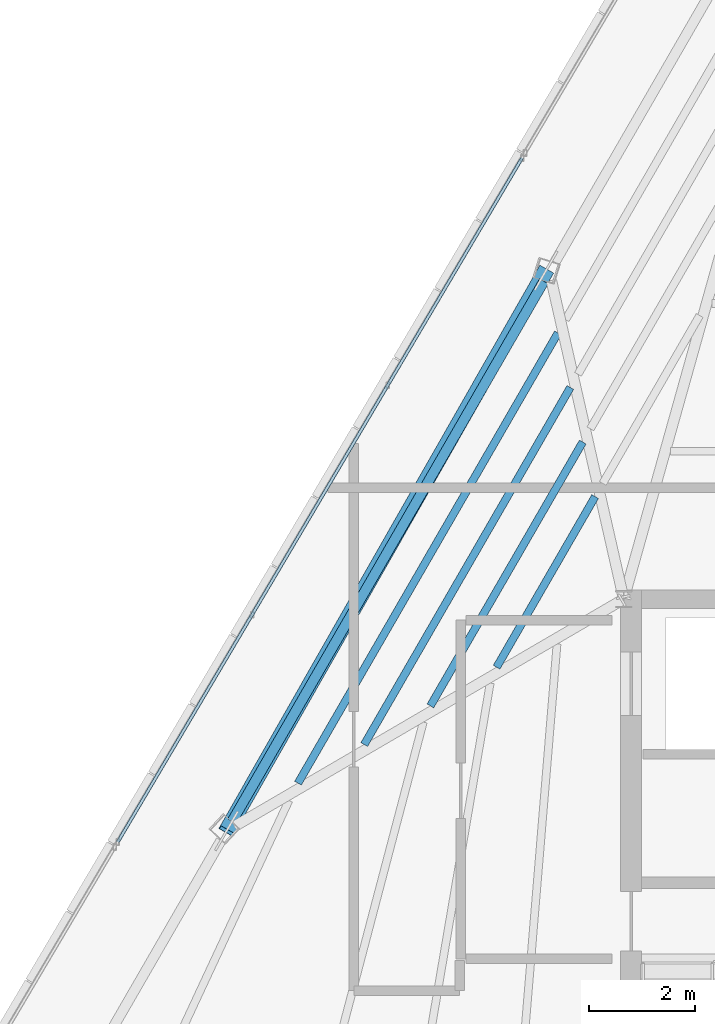
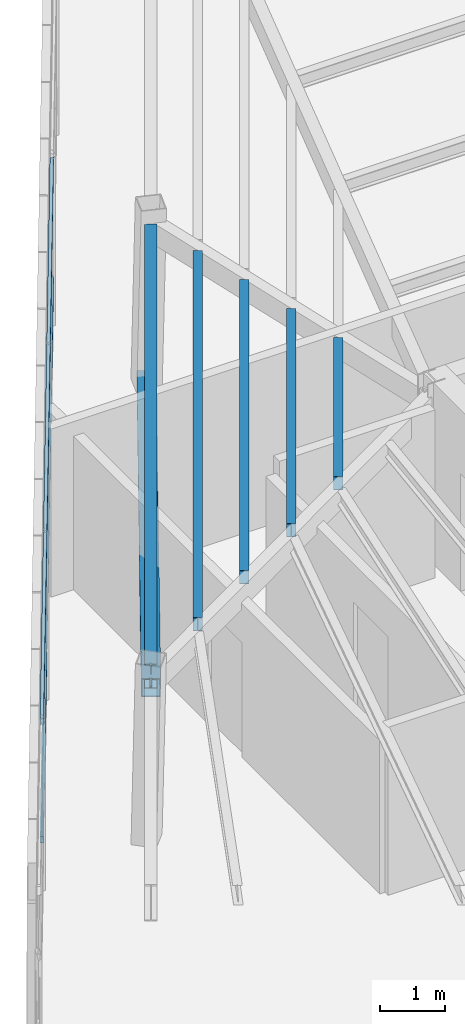
# One storey, part 18 of 44: 5 beams, 3 members, 1 element without a shape of its own.
"""IFC4 building model written with IfcOpenShell, lengths in metres."""

from ifc_helpers import new_model, si_unit, direction, frame, origin, origin_2d, place, context, subcontext, project, spatial, hollow_rectangle, i_section, extrude, source, transform, mapped, material, material_profile, profile_set, type_object, type_shapes, element, aggregate, save


model = new_model("IFC4")

# Units and contexts
model_context = context("Model", 3, precision=1e-05, world=origin(), true_north=direction((0.0, 1.0)))
body_context = subcontext(model_context, "Body", "Model", "MODEL_VIEW")
ifc_project = project(units=[si_unit("LENGTHUNIT", "METRE"), si_unit("AREAUNIT", "SQUARE_METRE"), si_unit("VOLUMEUNIT", "CUBIC_METRE"), si_unit("PLANEANGLEUNIT", "RADIAN"), si_unit("MASSUNIT", "GRAM", prefix="KILO")], contexts=[model_context])

# Site, building, storey
site_placement = place(None, origin())
site = spatial("IfcSite", under=ifc_project, at=site_placement, CompositionType="ELEMENT")
building_placement = place(site_placement, origin())
building = spatial("IfcBuilding", under=site, at=building_placement, Name="Caelisora Broadcast Tower", CompositionType="ELEMENT")
storey_placement = place(building_placement, frame((0.0, 0.0, 296.60009765625)))
storey = spatial("IfcBuildingStorey", under=building, at=storey_placement, Name="L78", CompositionType="ELEMENT", Elevation=296.60009765625)

# Beams
ifc_material_1 = material(Name="Steel Grade 350 (AS/NZS 3679.1)", Category="steel")
ifc_material_profile_1 = material_profile(ifc_material_1, i_section(OverallWidth=0.19091796875, OverallDepth=0.46044921875, WebThickness=0.010009765625, FlangeThickness=0.01611328125, at=origin_2d()), Name="Steel Grade 350 (AS/NZS 3679.1)")
ifc_profile_set_1 = profile_set([ifc_material_profile_1], Name="Steel Grade 350 (AS/NZS 3679.1)")
beam_type_1 = type_object("IfcBeamType", Name="PG06", PredefinedType="BEAM", material=ifc_profile_set_1)
shared_shape_1 = source(origin(), body_context, "Body", "SweptSolid", [
    extrude(i_section(OverallWidth=0.19091796875, OverallDepth=0.46044921875, WebThickness=0.010009765625, FlangeThickness=0.01611328125, at=origin_2d()), origin(), (0.0, 0.0, 1.0), 11.78466796875),
])
type_shapes(beam_type_1, [shared_shape_1])
beam_1_placement = place(storey_placement, frame((28.9912109375, 36.005126953125, 2.919677734375), z_axis=(-0.500000414809, -0.866025164294, 0.0), x_axis=(0.866025164294, -0.500000414809, 0.0)))
element("IfcBeam", 1, at=beam_1_placement, inside=storey, type_object=beam_type_1, Name="L78 beam PG06", PredefinedType="BEAM", context=body_context, shape_type="MappedRepresentation", body=[
    mapped(shared_shape_1, transform((0.0, 0.0, 0.0), scale=1.0)),
])
ifc_material_profile_2 = material_profile(ifc_material_1, i_section(OverallWidth=0.14599609375, OverallDepth=0.256103515625, WebThickness=0.00634765625, FlangeThickness=0.010986328125, at=origin_2d()), Name="Steel Grade 350 (AS/NZS 3679.1)")
ifc_profile_set_2 = profile_set([ifc_material_profile_2], Name="Steel Grade 350 (AS/NZS 3679.1)")
beam_type_2 = type_object("IfcBeamType", Name="SB04", PredefinedType="JOIST", material=ifc_profile_set_2)
shared_shape_2 = source(origin(), body_context, "Body", "SweptSolid", [
    extrude(i_section(OverallWidth=0.14599609375, OverallDepth=0.256103515625, WebThickness=0.00634765625, FlangeThickness=0.010986328125, at=origin_2d()), origin(), (0.0, 0.0, 1.0), 3.72412109375),
])
beam_2_placement = place(storey_placement, frame((29.959716796875, 31.93701171875, 3.021728515625), z_axis=(-0.500009978401, -0.866019642675, 0.0), x_axis=(0.866019642675, -0.500009978401, 0.0)))
element("IfcBeam", 2, at=beam_2_placement, inside=storey, type_object=beam_type_2, Name="L78 beam SB04", PredefinedType="JOIST", context=body_context, shape_type="MappedRepresentation", body=[
    mapped(shared_shape_2, transform((0.0, 0.0, 0.0), scale=1.0)),
])
shared_shape_3 = source(origin(), body_context, "Body", "SweptSolid", [
    extrude(i_section(OverallWidth=0.14599609375, OverallDepth=0.256103515625, WebThickness=0.00634765625, FlangeThickness=0.010986328125, at=origin_2d()), origin(), (0.0, 0.0, 1.0), 5.757568359375),
])
beam_3_placement = place(storey_placement, frame((29.7255859375, 32.9677734375, 3.021728515625), z_axis=(-0.500024661345, -0.866011165082, 0.0), x_axis=(0.866011165082, -0.500024661345, 0.0)))
element("IfcBeam", 3, at=beam_3_placement, inside=storey, type_object=beam_type_2, Name="L78 beam SB04", PredefinedType="JOIST", context=body_context, shape_type="MappedRepresentation", body=[
    mapped(shared_shape_3, transform((0.0, 0.0, 0.0), scale=1.0)),
])
shared_shape_4 = source(origin(), body_context, "Body", "SweptSolid", [
    extrude(i_section(OverallWidth=0.14599609375, OverallDepth=0.256103515625, WebThickness=0.00634765625, FlangeThickness=0.010986328125, at=origin_2d()), origin(), (0.0, 0.0, 1.0), 7.791015625),
])
beam_4_placement = place(storey_placement, frame((29.491455078125, 33.998779296875, 3.021728515625), z_axis=(-0.499994608904, -0.866028516313, 0.0), x_axis=(0.866028516313, -0.499994608904, 0.0)))
element("IfcBeam", 4, at=beam_4_placement, inside=storey, type_object=beam_type_2, Name="L78 beam SB04", PredefinedType="JOIST", context=body_context, shape_type="MappedRepresentation", body=[
    mapped(shared_shape_4, transform((0.0, 0.0, 0.0), scale=1.0)),
])
shared_shape_5 = source(origin(), body_context, "Body", "SweptSolid", [
    extrude(i_section(OverallWidth=0.14599609375, OverallDepth=0.256103515625, WebThickness=0.00634765625, FlangeThickness=0.010986328125, at=origin_2d()), origin(), (0.0, 0.0, 1.0), 9.82421875),
])
type_shapes(beam_type_2, [shared_shape_2, shared_shape_3, shared_shape_4, shared_shape_5])
beam_5_placement = place(storey_placement, frame((29.257080078125, 35.029541015625, 3.021728515625), z_axis=(-0.499998517691, -0.866026259594, 0.0), x_axis=(0.866026259594, -0.499998517691, 0.0)))
element("IfcBeam", 5, at=beam_5_placement, inside=storey, type_object=beam_type_2, Name="L78 beam SB04", PredefinedType="JOIST", context=body_context, shape_type="MappedRepresentation", body=[
    mapped(shared_shape_5, transform((0.0, 0.0, 0.0), scale=1.0)),
])

# Member
ifc_material_2 = material(Name="Steel Grade 450 (AS/NZS 1163 C450L0)", Category="steel")
ifc_material_profile_3 = material_profile(ifc_material_2, hollow_rectangle(XDim=0.300048828125, YDim=0.300048828125, WallThickness=0.012451171875, at=origin_2d()), Name="Steel Grade 450 (AS/NZS 1163 C450L0)")
ifc_profile_set_3 = profile_set([ifc_material_profile_3], Name="Steel Grade 450 (AS/NZS 1163 C450L0)")
member_type_1 = type_object("IfcMemberType", Name="BR06", PredefinedType="BRACE", material=ifc_profile_set_3)
shared_shape_6 = source(origin(), body_context, "Body", "SweptSolid", [
    extrude(hollow_rectangle(XDim=0.300048828125, YDim=0.300048828125, WallThickness=0.012451171875, at=origin_2d()), origin(), (0.0, 0.0, 1.0), 12.4921875),
])
type_shapes(member_type_1, [shared_shape_6])
member_1_placement = place(storey_placement, frame((29.029296875, 36.205810546875, 0.099853515625), z_axis=(-0.48305643145, -0.847464337781, 0.220137866402), x_axis=(0.868776494439, -0.495204404978, 0.0)))
element("IfcMember", 6, at=member_1_placement, inside=storey, type_object=member_type_1, Name="L78 perimeter brace BR06", PredefinedType="BRACE", context=body_context, shape_type="MappedRepresentation", body=[
    mapped(shared_shape_6, transform((0.0, 0.0, 0.0), scale=1.0)),
])

# Curtain wall, members
ifc_material_3 = material(Name="Unitised Aluminium Insulated Shadow-Box Spandrel Curtain Wall", Category="aluminium")
curtain_wall_type = type_object("IfcCurtainWallType", Name="CW-SP3", PredefinedType="NOTDEFINED", material=ifc_material_3)
curtain_wall_placement = place(storey_placement, origin())
curtain_wall = element("IfcCurtainWall", 7, at=curtain_wall_placement, inside=storey, type_object=curtain_wall_type, Name="L78 curtain wall CW-SP3", PredefinedType="NOTDEFINED")
ifc_material_4 = material(Name="Aluminium 6063-T6 Anodised Terracotta Bronze", Category="aluminium")
ifc_material_profile_4 = material_profile(ifc_material_4, hollow_rectangle(XDim=0.06005859375, YDim=0.1201171875, WallThickness=0.0029296875, at=origin_2d()), Name="Aluminium 6063-T6 Anodised Terracotta Bronze")
ifc_profile_set_4 = profile_set([ifc_material_profile_4], Name="Aluminium 6063-T6 Anodised Terracotta Bronze")
member_type_2 = type_object("IfcMemberType", Name="CWT-03", PredefinedType="USERDEFINED", material=ifc_profile_set_4)
shared_shape_7 = source(origin(), body_context, "Body", "SweptSolid", [
    extrude(hollow_rectangle(XDim=0.06005859375, YDim=0.1201171875, WallThickness=0.0029296875, at=origin_2d()), origin(), (0.0, 0.0, 1.0), 15.01611328125),
])
type_shapes(member_type_2, [shared_shape_7])
member_2_placement = place(storey_placement, frame((20.939208984375, 25.408935546875, 0.849853515625), z_axis=(0.508813117484, 0.860877001363, 0.0), x_axis=(-0.860877001363, 0.508813117484, 0.0)))
member_2 = element("IfcMember", 8, at=member_2_placement, type_object=member_type_2, Name="L78-CW-B10 transom #1", ObjectType="TRANSOM", PredefinedType="USERDEFINED", context=body_context, shape_type="MappedRepresentation", body=[
    mapped(shared_shape_7, transform((0.0, 0.0, 0.0), scale=1.0)),
])
member_3_placement = place(storey_placement, frame((20.939208984375, 25.408935546875, 3.06982421875), z_axis=(0.508813117484, 0.860877001363, 0.0), x_axis=(-0.860877001363, 0.508813117484, 0.0)))
member_3 = element("IfcMember", 9, at=member_3_placement, type_object=member_type_2, Name="L78-CW-B10 transom #2", ObjectType="TRANSOM", PredefinedType="USERDEFINED", context=body_context, shape_type="MappedRepresentation", body=[
    mapped(shared_shape_7, transform((0.0, 0.0, 0.0), scale=1.0)),
])
aggregate(curtain_wall, [member_2, member_3])

save(model, "model.ifc")
